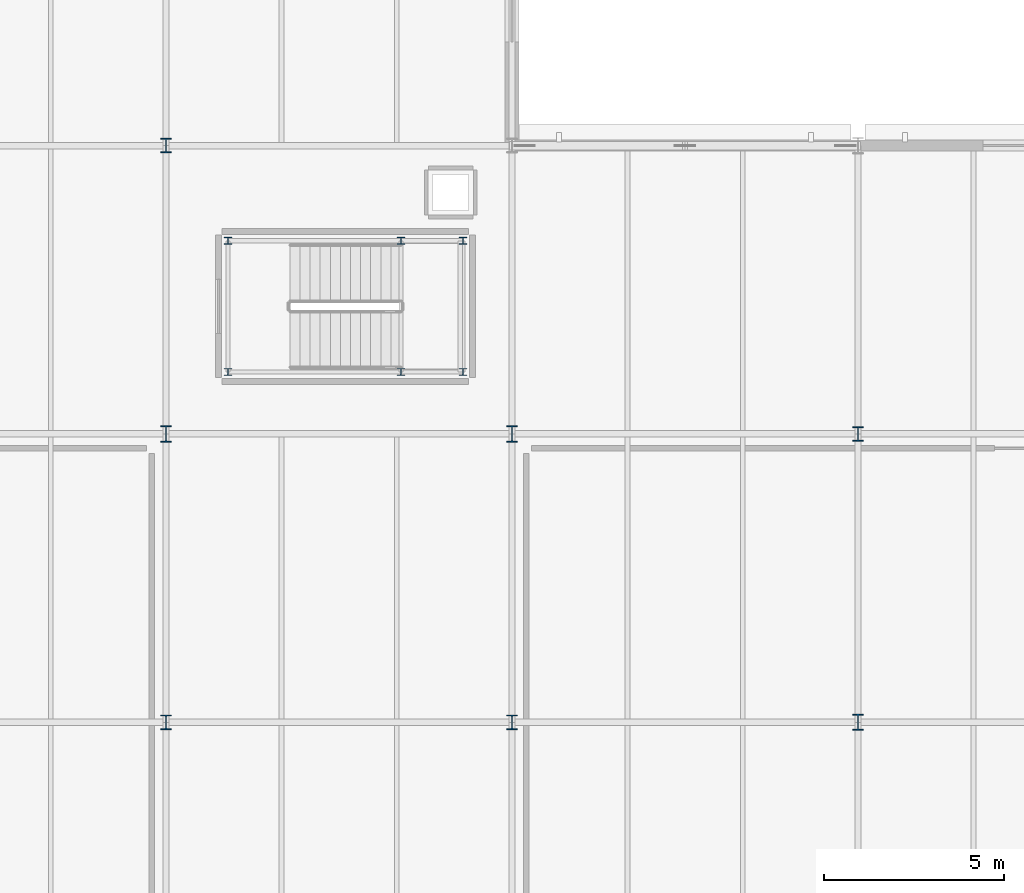
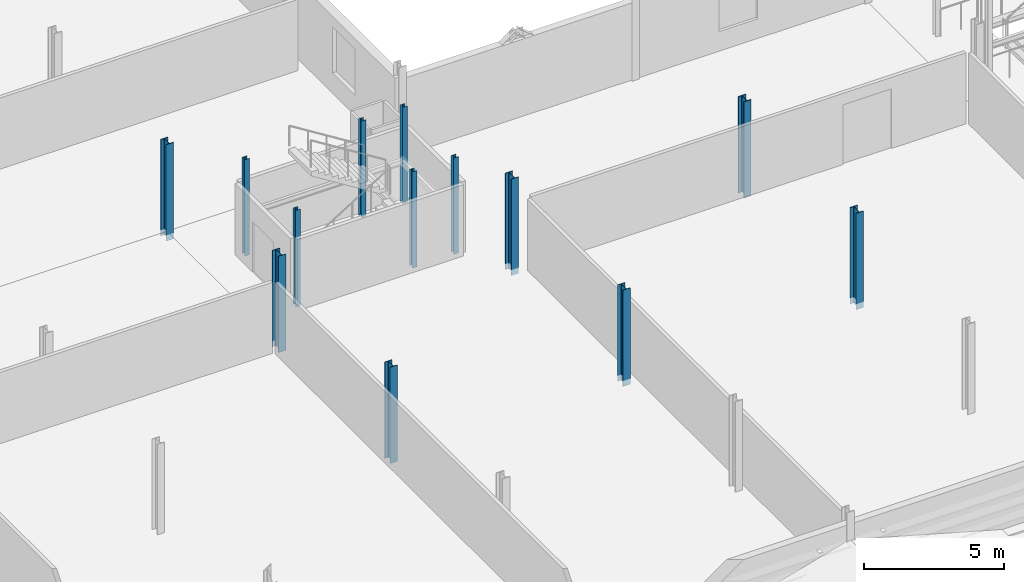
# One storey, part 11 of 85: 13 columns.
"""IFC4 building model written with IfcOpenShell, lengths in metres."""

import ifcopenshell
import ifcopenshell.guid

model = None  # the IFC model being written
_history = None  # IfcOwnerHistory: only IFC2X3 demands one
_inside = {}  # id of a spatial element -> (the spatial element, [elements in it])
_under = {}  # id of a project, library or spatial element -> (it, [spatial elements below it])
_declared = {}  # id of a project -> (the project, [libraries it declares])
_typed = {}  # id of a type object -> (the type object, [elements of that type])
_made_of = {}  # id of a material, layer set ... -> (it, [elements and type objects made of it])


def new_model(schema):
    """Start an empty IFC model of exactly this schema.

    Asked for "IFC4X3", IfcOpenShell would pick the latest addendum, in which some entities
    have other attributes; the version numbers below select the first issue.
    IFC2X3 requires an IfcOwnerHistory on every rooted entity: one is made here for all.
    """
    global model, _history
    if schema == "IFC4X3":
        model = ifcopenshell.file(schema_version=(4, 3, 0, 0))
    else:
        model = ifcopenshell.file(schema=schema)
    _inside.clear()
    _under.clear()
    _declared.clear()
    _typed.clear()
    _made_of.clear()
    _history = None
    if model.schema == "IFC2X3":
        org = make("IfcOrganization", Name="unknown")
        user = make(
            "IfcPersonAndOrganization",
            ThePerson=make("IfcPerson", FamilyName="unknown"),
            TheOrganization=org,
        )
        app = make(
            "IfcApplication",
            ApplicationDeveloper=org,
            Version="unknown",
            ApplicationFullName="unknown",
            ApplicationIdentifier="unknown",
        )
        _history = make(
            "IfcOwnerHistory",
            OwningUser=user,
            OwningApplication=app,
            ChangeAction="ADDED",
            CreationDate=0,
        )
    return model


def make(cls, **values):
    """One entity of the class cls with the attributes given. An attribute that is None is left unset."""
    return model.create_entity(
        cls, **{name: value for name, value in values.items() if value is not None}
    )


def rooted(cls, **values):
    """An entity with a GlobalId (a new one), such as an element, a storey or a relation."""
    return make(cls, GlobalId=ifcopenshell.guid.new(), OwnerHistory=_history, **values)


def si_unit(unit_type, name, prefix=None):
    """IfcSIUnit, for example si_unit("LENGTHUNIT", "METRE", prefix="MILLI")."""
    return make("IfcSIUnit", UnitType=unit_type, Prefix=prefix, Name=name)


def assignment(units):
    """IfcUnitAssignment: the units of a project."""
    return None if units is None else make("IfcUnitAssignment", Units=units)


def point(xyz):
    """IfcCartesianPoint."""
    return None if xyz is None else make("IfcCartesianPoint", Coordinates=xyz)


def direction(xyz):
    """IfcDirection."""
    return None if xyz is None else make("IfcDirection", DirectionRatios=xyz)


def frame(location, z_axis=None, x_axis=None):
    """IfcAxis2Placement3D, a coordinate frame: its origin and axes. An axis left out is left unset."""
    return make(
        "IfcAxis2Placement3D",
        Location=point(location),
        Axis=direction(z_axis),
        RefDirection=direction(x_axis),
    )


def frame_2d(location, x_axis=None):
    """IfcAxis2Placement2D, a coordinate frame in the plane: its origin and x axis."""
    return make(
        "IfcAxis2Placement2D", Location=point(location), RefDirection=direction(x_axis)
    )


def origin():
    """The frame at (0, 0, 0) with its axes left unset."""
    return frame((0.0, 0.0, 0.0))


def origin_2d():
    """The frame at (0, 0) in the plane with its x axis left unset."""
    return frame_2d((0.0, 0.0))


def place(relative_to, where):
    """IfcLocalPlacement: puts the frame where relative to a parent placement (None: the world)."""
    return make(
        "IfcLocalPlacement", PlacementRelTo=relative_to, RelativePlacement=where
    )


def context(
    kind, dimensions, precision=None, world=None, true_north=None, identifier=None
):
    """IfcGeometricRepresentationContext, for example the 3D "Model" context."""
    return make(
        "IfcGeometricRepresentationContext",
        ContextIdentifier=identifier,
        ContextType=kind,
        CoordinateSpaceDimension=dimensions,
        Precision=precision,
        WorldCoordinateSystem=world,
        TrueNorth=true_north,
    )


def subcontext(parent, identifier, kind, view, scale=None):
    """IfcGeometricRepresentationSubContext, for example "Body" below "Model"."""
    return make(
        "IfcGeometricRepresentationSubContext",
        ContextIdentifier=identifier,
        ContextType=kind,
        ParentContext=parent,
        TargetScale=scale,
        TargetView=view,
    )


def project(units=None, contexts=None):
    """IfcProject with its units and contexts."""
    return rooted(
        "IfcProject",
        Name="project",
        RepresentationContexts=contexts,
        UnitsInContext=assignment(units),
    )


def spatial(cls, under=None, at=None, **own):
    """A site, building, storey or space (cls), placed at a placement, below another one or the project."""
    s = rooted(cls, ObjectPlacement=at, **own)
    if under is not None:
        _under.setdefault(under.id(), (under, []))[1].append(s)
    return s


def profile(cls, at=None, kind="AREA", **sizes):
    """A parametric profile (cls). Its sizes go by their IFC names, for example OverallWidth=200.0."""
    return make(cls, ProfileType=kind, Position=at, **sizes)


def i_section(**sizes):
    """IfcIShapeProfileDef."""
    return profile("IfcIShapeProfileDef", **sizes)


def extrude(swept, where, along, depth):
    """IfcExtrudedAreaSolid: the profile swept, set in the frame where, extruded along a direction by depth."""
    return make(
        "IfcExtrudedAreaSolid",
        SweptArea=swept,
        Position=where,
        ExtrudedDirection=direction(along),
        Depth=depth,
    )


def shape(context_of_items, identifier, shape_type, items):
    """IfcShapeRepresentation: the items that make up one representation, for example the "Body"."""
    return make(
        "IfcShapeRepresentation",
        ContextOfItems=context_of_items,
        RepresentationIdentifier=identifier,
        RepresentationType=shape_type,
        Items=items,
    )


def material(Name=None, Category=None):
    """IfcMaterial."""
    return make("IfcMaterial", Name=Name, Category=Category)


def material_profile(
    of_material, cross_section, Name=None, Category=None, Priority=None
):
    """IfcMaterialProfile: a cross section and its material."""
    return make(
        "IfcMaterialProfile",
        Name=Name,
        Material=of_material,
        Profile=cross_section,
        Priority=Priority,
        Category=Category,
    )


def profile_set(profiles, Name=None, composite=None):
    """IfcMaterialProfileSet."""
    return make(
        "IfcMaterialProfileSet",
        Name=Name,
        MaterialProfiles=profiles,
        CompositeProfile=composite,
    )


def made_of(thing, what):
    """Note that an element or type object is made of a material, layer set ...; save() writes the relation."""
    if what is not None:
        _made_of.setdefault(what.id(), (what, []))[1].append(thing)
    return thing


def type_object(cls, material=None, **own):
    """A type object (cls), such as IfcWallType, which elements share."""
    return made_of(rooted(cls, **own), material)


def element(
    cls,
    number,
    at=None,
    inside=None,
    cuts=None,
    type_object=None,
    material=None,
    context=None,
    identifier="Body",
    shape_type=None,
    held_by="IfcProductDefinitionShape",
    body=None,
    shapes=None,
    **own,
):
    """One element of the class cls, such as IfcWall. Its Tag is "e" and its number.

    at: its placement. inside: the storey or other place that contains it. cuts: it is an
    opening in that element (IfcRelVoidsElement). A single representation is given by context,
    identifier, shape_type and body (its items); several are given by shapes. held_by: the class
    of the entity that holds the representations. save() writes the other relations.
    """
    e = rooted(cls, Tag="e%d" % number, ObjectPlacement=at, **own)
    if body is not None:
        shapes = [shape(context, identifier, shape_type, body)]
    if shapes is not None:
        e.Representation = make(held_by, Representations=shapes)
    if inside is not None:
        _inside.setdefault(inside.id(), (inside, []))[1].append(e)
    if cuts is not None:
        rooted(
            "IfcRelVoidsElement", RelatingBuildingElement=cuts, RelatedOpeningElement=e
        )
    if type_object is not None:
        _typed.setdefault(type_object.id(), (type_object, []))[1].append(e)
    return made_of(e, material)


def aggregate(whole, parts):
    """IfcRelAggregates: a whole, such as a stair, and the parts it consists of."""
    return rooted("IfcRelAggregates", RelatingObject=whole, RelatedObjects=parts)


def save(model, path):
    """Write the relations noted so far, then the file.

    IfcRelAggregates (storeys below a building ...), IfcRelContainedInSpatialStructure (elements
    in a storey), IfcRelDefinesByType, IfcRelAssociatesMaterial and IfcRelDeclares: one each for
    every whole, place, type object, material and project.
    """
    for whole, parts in _under.values():
        aggregate(whole, parts)
    for where, things in _inside.values():
        rooted(
            "IfcRelContainedInSpatialStructure",
            RelatedElements=things,
            RelatingStructure=where,
        )
    for kind, things in _typed.values():
        rooted("IfcRelDefinesByType", RelatedObjects=things, RelatingType=kind)
    for what, things in _made_of.values():
        rooted("IfcRelAssociatesMaterial", RelatedObjects=things, RelatingMaterial=what)
    for by, libraries in _declared.values():
        rooted("IfcRelDeclares", RelatingContext=by, RelatedDefinitions=libraries)
    model.write(path)


model = new_model("IFC4")

# Units and contexts
model_context = context("Model", 3, precision=1e-05, world=origin(), true_north=direction((0.0, 1.0)))
body_context = subcontext(model_context, "Body", "Model", "MODEL_VIEW")
ifc_project = project(units=[si_unit("LENGTHUNIT", "METRE"), si_unit("AREAUNIT", "SQUARE_METRE"), si_unit("VOLUMEUNIT", "CUBIC_METRE"), si_unit("PLANEANGLEUNIT", "RADIAN"), si_unit("MASSUNIT", "GRAM", prefix="KILO")], contexts=[model_context])

# Site, building, storey
site_placement = place(None, origin())
site = spatial("IfcSite", under=ifc_project, at=site_placement, CompositionType="ELEMENT")
building_placement = place(site_placement, origin())
building = spatial("IfcBuilding", under=site, at=building_placement, Name="Alderhovde Museum", CompositionType="ELEMENT")
storey_placement = place(building_placement, frame((0.0, 0.0, 8.699951171875)))
storey = spatial("IfcBuildingStorey", under=building, at=storey_placement, Name="L02", CompositionType="ELEMENT", Elevation=8.699951171875)

# Columns
ifc_material_1 = material(Name="Steel S355J2", Category="steel")
ifc_material_profile_1 = material_profile(ifc_material_1, i_section(OverallWidth=0.199951171875, OverallDepth=0.18994140625, WebThickness=0.006591796875, FlangeThickness=0.010009765625, FilletRadius=0.01806640625, at=origin_2d()), Name="HEA 200")
ifc_profile_set_1 = profile_set([ifc_material_profile_1], Name="Steel S355J2")
column_type_1 = type_object("IfcColumnType", Name="COL-HEA200", PredefinedType="COLUMN", material=ifc_profile_set_1)
for number, where, z_axis, x_axis, name in (
    (1, (49.719970703125, 73.719970703125, 0.0), (0.0, 0.0, 1.0), (1.0, 0.0, 0.0), "L02 Stair ST6 Shaft Column 1"),
    (2, (56.239990234375, 73.719970703125, 0.0), (0.0, 0.0, 1.0), (1.0, 0.0, 0.0), "L02 Stair ST6 Shaft Column 2"),
    (3, (56.239990234375, 77.360107421875, 0.0), (0.0, 0.0, 1.0), (1.0, 0.0, 0.0), "L02 Stair ST6 Shaft Column 3"),
    (4, (49.719970703125, 77.360107421875, 0.0), (0.0, 0.0, 1.0), (1.0, 0.0, 0.0), "L02 Stair ST6 Shaft Column 4"),
    (5, (54.52001953125, 73.719970703125, 0.0), (0.0, 0.0, 1.0), (1.0, 0.0, 0.0), "L02 Stair ST6 Shaft Column 5"),
    (6, (54.52001953125, 77.360107421875, 0.0), (0.0, 0.0, 1.0), (1.0, 0.0, 0.0), "L02 Stair ST6 Shaft Column 6"),
):
    element("IfcColumn", number, at=place(storey_placement, frame(where, z_axis=z_axis, x_axis=x_axis)), inside=storey, type_object=column_type_1, Name=name, PredefinedType="COLUMN", context=body_context, shape_type="SweptSolid", body=[
        extrude(i_section(OverallWidth=0.199951171875, OverallDepth=0.18994140625, WebThickness=0.006591796875, FlangeThickness=0.010009765625, FilletRadius=0.01806640625, at=origin_2d()), origin(), (0.0, 0.0, 1.0), 4.199951171875),
    ])
ifc_material_2 = material(Name="Steel S355J2", Category="steel")
ifc_material_profile_2 = material_profile(ifc_material_2, i_section(OverallWidth=0.300048828125, OverallDepth=0.39990234375, WebThickness=0.013427734375, FlangeThickness=0.02392578125, FilletRadius=0.027099609375, at=origin_2d()), Name="HEB 400")
ifc_profile_set_2 = profile_set([ifc_material_profile_2], Name="Steel S355J2")
column_type_2 = type_object("IfcColumnType", Name="COL-HEB400", PredefinedType="COLUMN", material=ifc_profile_set_2)
for number, where, z_axis, x_axis, name in (
    (7, (48.0, 64.0, -0.260009765625), (0.0, 0.0, 1.0), (1.0, 0.0, 0.0), "L02 Column (48.0, 64.0)"),
    (8, (48.0, 80.0, -0.260009765625), (0.0, 0.0, 1.0), (1.0, 0.0, 0.0), "L02 Column (48.0, 80.0)"),
    (9, (57.60009765625, 64.0, -0.260009765625), (0.0, 0.0, 1.0), (1.0, 0.0, 0.0), "L02 Column (57.6, 64.0)"),
    (10, (67.199951171875, 72.0, -0.260009765625), (0.0, 0.0, 1.0), (1.0, 0.0, 0.0), "L02 Column (67.2, 72.0)"),
):
    element("IfcColumn", number, at=place(storey_placement, frame(where, z_axis=z_axis, x_axis=x_axis)), inside=storey, type_object=column_type_2, Name=name, PredefinedType="COLUMN", context=body_context, shape_type="SweptSolid", body=[
        extrude(i_section(OverallWidth=0.300048828125, OverallDepth=0.39990234375, WebThickness=0.013427734375, FlangeThickness=0.02392578125, FilletRadius=0.027099609375, at=origin_2d()), origin(), (0.0, 0.0, 1.0), 4.199951171875),
    ])
ifc_material_3 = material(Name="Steel S355J2", Category="steel")
ifc_material_profile_3 = material_profile(ifc_material_3, i_section(OverallWidth=0.300048828125, OverallDepth=0.449951171875, WebThickness=0.013916015625, FlangeThickness=0.02587890625, FilletRadius=0.027099609375, at=origin_2d()), Name="HEB 450")
ifc_profile_set_3 = profile_set([ifc_material_profile_3], Name="Steel S355J2")
column_type_3 = type_object("IfcColumnType", Name="COL-HEB450", PredefinedType="COLUMN", material=ifc_profile_set_3)
for number, where, z_axis, x_axis, name in (
    (11, (48.0, 72.0, -0.260009765625), (0.0, 0.0, 1.0), (1.0, 0.0, 0.0), "L02 Column (48.0, 72.0)"),
    (12, (57.60009765625, 72.0, -0.260009765625), (0.0, 0.0, 1.0), (1.0, 0.0, 0.0), "L02 Column (57.6, 72.0)"),
    (13, (67.199951171875, 64.0, -0.260009765625), (0.0, 0.0, 1.0), (1.0, 0.0, 0.0), "L02 Column (67.2, 64.0)"),
):
    element("IfcColumn", number, at=place(storey_placement, frame(where, z_axis=z_axis, x_axis=x_axis)), inside=storey, type_object=column_type_3, Name=name, PredefinedType="COLUMN", context=body_context, shape_type="SweptSolid", body=[
        extrude(i_section(OverallWidth=0.300048828125, OverallDepth=0.449951171875, WebThickness=0.013916015625, FlangeThickness=0.02587890625, FilletRadius=0.027099609375, at=origin_2d()), origin(), (0.0, 0.0, 1.0), 4.199951171875),
    ])

save(model, "model.ifc")
